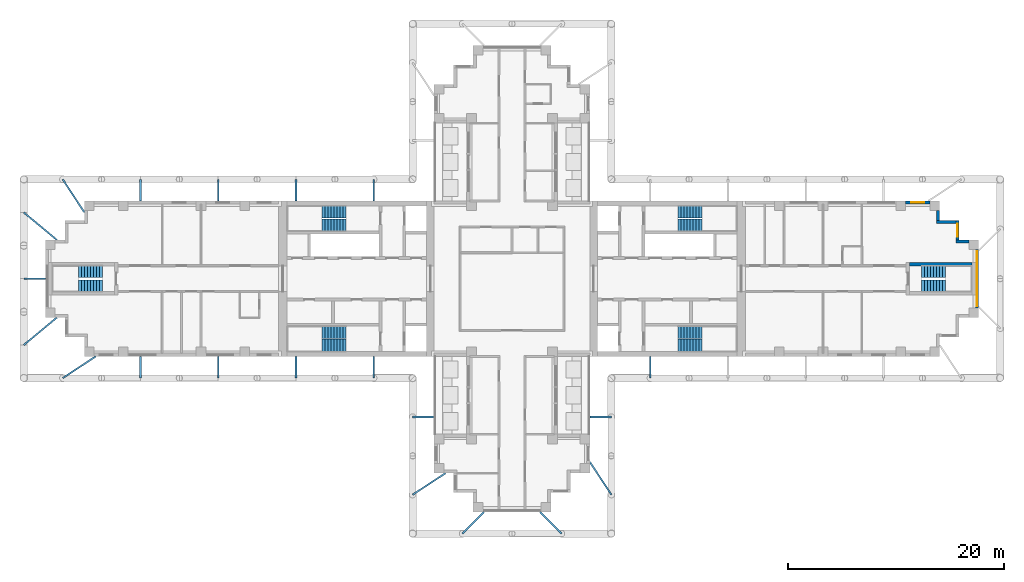
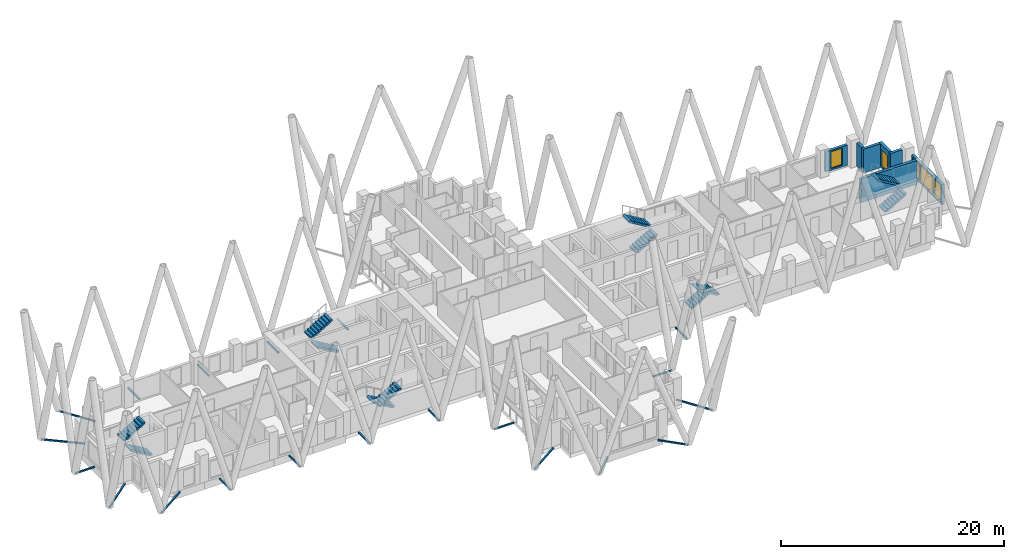
# One storey, part 9 of 12: 20 discrete accessories, 12 stair flights, 7 walls, 5 windows, 5 openings, 6 elements without a shape of their own.
"""IFC4 building model written with IfcOpenShell, lengths in metres."""

from ifc_helpers import new_model, si_unit, direction, frame, frame_2d, origin, origin_2d, place, context, subcontext, project, spatial, polyline, rectangle, hollow_rectangle, outline, extrude, material, layer, layer_set, type_object, element, fill, aggregate, save


model = new_model("IFC4")

# Units and contexts
model_context = context("Model", 3, precision=1e-05, world=origin(), true_north=direction((0.0, 1.0)))
body_context = subcontext(model_context, "Body", "Model", "MODEL_VIEW")
ifc_project = project(units=[si_unit("LENGTHUNIT", "METRE"), si_unit("AREAUNIT", "SQUARE_METRE"), si_unit("VOLUMEUNIT", "CUBIC_METRE"), si_unit("PLANEANGLEUNIT", "RADIAN"), si_unit("MASSUNIT", "GRAM", prefix="KILO")], contexts=[model_context])

# Site, building, storey
site_placement = place(None, origin())
site = spatial("IfcSite", under=ifc_project, at=site_placement, CompositionType="ELEMENT")
building_placement = place(site_placement, origin())
building = spatial("IfcBuilding", under=site, at=building_placement, Name="Fustian Cross Tower", CompositionType="ELEMENT")
storey_placement = place(building_placement, frame((0.0, 0.0, 141.300048828125)))
storey = spatial("IfcBuildingStorey", under=building, at=storey_placement, Name="L44", CompositionType="ELEMENT", Elevation=141.300048828125)

# Wall
ifc_material_1 = material(Name="Concrete C50/60", Category="concrete")
ifc_layer_1 = layer(ifc_material_1, 0.300048828125)
ifc_layer_set_1 = layer_set([ifc_layer_1], Name="Concrete C50/60")
wall_type_1 = type_object("IfcWallType", Name="STAIR ENCLOSURE WALL 300 C50/60", PredefinedType="SHEAR", material=ifc_layer_set_1)
wall_1_placement = place(storey_placement, frame((36.800048828125, 1.35009765625, 0.0), z_axis=(0.0, 0.0, 1.0), x_axis=(1.0, 0.0, 0.0)))
element("IfcWall", 1, at=wall_1_placement, inside=storey, type_object=wall_type_1, Name="Stair enclosure wall", PredefinedType="SHEAR", context=body_context, shape_type="SweptSolid", body=[
    extrude(rectangle(XDim=5.800048828125, YDim=0.300048828125, at=frame_2d((2.89990234375, 0.0))), origin(), (0.0, 0.0, 1.0), 2.599853515625),
])

# Wall, openings, windows
ifc_material_2 = material(Name="Dark aluminium cladding on insulated backing wall", Category="aluminium")
ifc_layer_2 = layer(ifc_material_2, 0.300048828125)
ifc_layer_set_2 = layer_set([ifc_layer_2], Name="Dark aluminium cladding on insulated backing wall")
wall_type_2 = type_object("IfcWallType", Name="XW1 EXTERNAL WALL 300", PredefinedType="SOLIDWALL", material=ifc_layer_set_2)
wall_2_placement = place(storey_placement, frame((43.050048828125, -2.699951171875, 0.0), z_axis=(0.0, 0.0, 1.0), x_axis=(0.0, 1.0, 0.0)))
wall_2 = element("IfcWall", 2, at=wall_2_placement, inside=storey, type_object=wall_type_2, Name="External wall", PredefinedType="SOLIDWALL", context=body_context, shape_type="SweptSolid", body=[
    extrude(rectangle(XDim=5.39990234375, YDim=0.300048828125, at=frame_2d((2.699951171875, 0.0))), origin(), (0.0, 0.0, 1.0), 2.199951171875),
])
opening_1_placement = place(wall_2_placement, frame((1.5, 0.0, 0.199951171875)))
opening_1 = element("IfcOpeningElement", 3, at=opening_1_placement, cuts=wall_2, Name="Opening WN1", PredefinedType="OPENING", context=body_context, shape_type="SweptSolid", body=[
    extrude(rectangle(XDim=2.39990234375, YDim=1.85009765625, at=frame_2d((1.199951171875, 0.925048828125))), frame((0.0, 0.159912109375, 0.0), z_axis=(0.0, -1.0, 0.0), x_axis=(1.0, 0.0, 0.0)), (0.0, 0.0, 1.0), 0.320068359375),
])
opening_2_placement = place(wall_2_placement, frame((0.14990234375, 0.0, 0.199951171875)))
opening_2 = element("IfcOpeningElement", 4, at=opening_2_placement, cuts=wall_2, Name="Opening WN3", PredefinedType="OPENING", context=body_context, shape_type="SweptSolid", body=[
    extrude(rectangle(XDim=1.199951171875, YDim=1.85009765625, at=frame_2d((0.60009765625, 0.925048828125))), frame((0.0, 0.159912109375, 0.0), z_axis=(0.0, -1.0, 0.0), x_axis=(1.0, 0.0, 0.0)), (0.0, 0.0, 1.0), 0.320068359375),
])
opening_3_placement = place(wall_2_placement, frame((4.050048828125, 0.0, 0.199951171875)))
opening_3 = element("IfcOpeningElement", 5, at=opening_3_placement, cuts=wall_2, Name="Opening WN3", PredefinedType="OPENING", context=body_context, shape_type="SweptSolid", body=[
    extrude(rectangle(XDim=1.199951171875, YDim=1.85009765625, at=frame_2d((0.60009765625, 0.925048828125))), frame((0.0, 0.159912109375, 0.0), z_axis=(0.0, -1.0, 0.0), x_axis=(1.0, 0.0, 0.0)), (0.0, 0.0, 1.0), 0.320068359375),
])
ifc_material_3 = material(Name="Dark anodised aluminium and double glazing", Category="aluminium")
window_type_1 = type_object("IfcWindowType", Name="WN1 WINDOW 2400X1850", PartitioningType="SINGLE_PANEL", PredefinedType="WINDOW", material=ifc_material_3)
window_1_placement = place(opening_1_placement, origin())
window_1 = element("IfcWindow", 6, at=window_1_placement, inside=storey, type_object=window_type_1, Name="Window", OverallHeight=1.85009765625, OverallWidth=2.39990234375, PartitioningType="SINGLE_PANEL", PredefinedType="WINDOW", context=body_context, shape_type="SweptSolid", body=[
    extrude(rectangle(XDim=2.39990234375, YDim=1.85009765625, at=frame_2d((1.199951171875, 0.925048828125))), frame((0.0, 0.030029296875, 0.0), z_axis=(0.0, -1.0, 0.0), x_axis=(1.0, 0.0, 0.0)), (0.0, 0.0, 1.0), 0.06005859375),
])
fill(opening_1, window_1)
ifc_material_4 = material(Name="Dark anodised aluminium and double glazing", Category="aluminium")
window_type_2 = type_object("IfcWindowType", Name="WN3 WINDOW 1200X1850", PartitioningType="SINGLE_PANEL", PredefinedType="WINDOW", material=ifc_material_4)
window_2_placement = place(opening_2_placement, origin())
window_2 = element("IfcWindow", 7, at=window_2_placement, inside=storey, type_object=window_type_2, Name="Window", OverallHeight=1.85009765625, OverallWidth=1.199951171875, PartitioningType="SINGLE_PANEL", PredefinedType="WINDOW", context=body_context, shape_type="SweptSolid", body=[
    extrude(rectangle(XDim=1.199951171875, YDim=1.85009765625, at=frame_2d((0.60009765625, 0.925048828125))), frame((0.0, 0.030029296875, 0.0), z_axis=(0.0, -1.0, 0.0), x_axis=(1.0, 0.0, 0.0)), (0.0, 0.0, 1.0), 0.06005859375),
])
fill(opening_2, window_2)
window_3_placement = place(opening_3_placement, origin())
window_3 = element("IfcWindow", 8, at=window_3_placement, inside=storey, type_object=window_type_2, Name="Window", OverallHeight=1.85009765625, OverallWidth=1.199951171875, PartitioningType="SINGLE_PANEL", PredefinedType="WINDOW", context=body_context, shape_type="SweptSolid", body=[
    extrude(rectangle(XDim=1.199951171875, YDim=1.85009765625, at=frame_2d((0.60009765625, 0.925048828125))), frame((0.0, 0.030029296875, 0.0), z_axis=(0.0, -1.0, 0.0), x_axis=(1.0, 0.0, 0.0)), (0.0, 0.0, 1.0), 0.06005859375),
])
fill(opening_3, window_3)

# Wall
wall_3_placement = place(storey_placement, frame((42.300048828125, 3.449951171875, 0.0), z_axis=(0.0, 0.0, 1.0), x_axis=(-1.0, 0.0, 0.0)))
element("IfcWall", 9, at=wall_3_placement, inside=storey, type_object=wall_type_2, Name="External wall", PredefinedType="SOLIDWALL", context=body_context, shape_type="SweptSolid", body=[
    extrude(rectangle(XDim=1.199951171875, YDim=0.300048828125, at=frame_2d((0.60009765625, 0.0))), origin(), (0.0, 0.0, 1.0), 2.599853515625),
])

# Wall, opening, window
wall_4_placement = place(storey_placement, frame((41.25, 3.60009765625, 0.0), z_axis=(0.0, 0.0, 1.0), x_axis=(0.0, 1.0, 0.0)))
wall_4 = element("IfcWall", 10, at=wall_4_placement, inside=storey, type_object=wall_type_2, Name="External wall", PredefinedType="SOLIDWALL", context=body_context, shape_type="SweptSolid", body=[
    extrude(rectangle(XDim=1.7998046875, YDim=0.300048828125, at=frame_2d((0.89990234375, 0.0))), origin(), (0.0, 0.0, 1.0), 2.599853515625),
])
opening_4_placement = place(wall_4_placement, frame((0.300048828125, 0.0, 0.199951171875)))
opening_4 = element("IfcOpeningElement", 11, at=opening_4_placement, cuts=wall_4, Name="Opening WN3", PredefinedType="OPENING", context=body_context, shape_type="SweptSolid", body=[
    extrude(rectangle(XDim=1.199951171875, YDim=1.85009765625, at=frame_2d((0.60009765625, 0.925048828125))), frame((0.0, 0.159912109375, 0.0), z_axis=(0.0, -1.0, 0.0), x_axis=(1.0, 0.0, 0.0)), (0.0, 0.0, 1.0), 0.320068359375),
])
window_4_placement = place(opening_4_placement, origin())
window_4 = element("IfcWindow", 12, at=window_4_placement, inside=storey, type_object=window_type_2, Name="Window", OverallHeight=1.85009765625, OverallWidth=1.199951171875, PartitioningType="SINGLE_PANEL", PredefinedType="WINDOW", context=body_context, shape_type="SweptSolid", body=[
    extrude(rectangle(XDim=1.199951171875, YDim=1.85009765625, at=frame_2d((0.60009765625, 0.925048828125))), frame((0.0, 0.030029296875, 0.0), z_axis=(0.0, -1.0, 0.0), x_axis=(1.0, 0.0, 0.0)), (0.0, 0.0, 1.0), 0.06005859375),
])
fill(opening_4, window_4)

# Walls
wall_5_placement = place(storey_placement, frame((41.10009765625, 5.25, 0.0), z_axis=(0.0, 0.0, 1.0), x_axis=(-1.0, 0.0, 0.0)))
element("IfcWall", 13, at=wall_5_placement, inside=storey, type_object=wall_type_2, Name="External wall", PredefinedType="SOLIDWALL", context=body_context, shape_type="SweptSolid", body=[
    extrude(rectangle(XDim=1.800048828125, YDim=0.300048828125, at=frame_2d((0.89990234375, 0.0))), origin(), (0.0, 0.0, 1.0), 2.599853515625),
])
wall_6_placement = place(storey_placement, frame((39.449951171875, 5.39990234375, 0.0), z_axis=(0.0, 0.0, 1.0), x_axis=(0.0, 1.0, 0.0)))
element("IfcWall", 14, at=wall_6_placement, inside=storey, type_object=wall_type_2, Name="External wall", PredefinedType="SOLIDWALL", context=body_context, shape_type="SweptSolid", body=[
    extrude(rectangle(XDim=0.900146484375, YDim=0.300048828125, at=frame_2d((0.4501953125, 0.0))), origin(), (0.0, 0.0, 1.0), 2.599853515625),
])

# Wall, opening, window
wall_7_placement = place(storey_placement, frame((38.699951171875, 7.050048828125, 0.0), z_axis=(0.0, 0.0, 1.0), x_axis=(-1.0, 0.0, 0.0)))
wall_7 = element("IfcWall", 15, at=wall_7_placement, inside=storey, type_object=wall_type_2, Name="External wall", PredefinedType="SOLIDWALL", context=body_context, shape_type="SweptSolid", body=[
    extrude(rectangle(XDim=2.25, YDim=0.300048828125, at=frame_2d((1.125, 0.0))), origin(), (0.0, 0.0, 1.0), 2.199951171875),
])
opening_5_placement = place(wall_7_placement, frame((0.52490234375, 0.0, 0.199951171875)))
opening_5 = element("IfcOpeningElement", 16, at=opening_5_placement, cuts=wall_7, Name="Opening WN3", PredefinedType="OPENING", context=body_context, shape_type="SweptSolid", body=[
    extrude(rectangle(XDim=1.199951171875, YDim=1.85009765625, at=frame_2d((0.60009765625, 0.925048828125))), frame((0.0, 0.159912109375, 0.0), z_axis=(0.0, -1.0, 0.0), x_axis=(1.0, 0.0, 0.0)), (0.0, 0.0, 1.0), 0.320068359375),
])
window_5_placement = place(opening_5_placement, origin())
window_5 = element("IfcWindow", 17, at=window_5_placement, inside=storey, type_object=window_type_2, Name="Window", OverallHeight=1.85009765625, OverallWidth=1.199951171875, PartitioningType="SINGLE_PANEL", PredefinedType="WINDOW", context=body_context, shape_type="SweptSolid", body=[
    extrude(rectangle(XDim=1.199951171875, YDim=1.85009765625, at=frame_2d((0.60009765625, 0.925048828125))), frame((0.0, 0.030029296875, 0.0), z_axis=(0.0, -1.0, 0.0), x_axis=(1.0, 0.0, 0.0)), (0.0, 0.0, 1.0), 0.06005859375),
])
fill(opening_5, window_5)

# Stair, stair flights
ifc_material_5 = material(Name="Concrete C50/60", Category="concrete")
stair_type_1 = type_object("IfcStairType", Name="STAIR 1100 HALF TURN", PredefinedType="HALF_TURN_STAIR", material=ifc_material_5)
stair_1_placement = place(storey_placement, origin())
stair_1 = element("IfcStair", 18, at=stair_1_placement, inside=storey, type_object=stair_type_1, Name="Stair ST8", PredefinedType="HALF_TURN_STAIR")
ifc_material_6 = material(Name="Concrete C50/60", Category="concrete")
stair_flight_type_1 = type_object("IfcStairFlightType", Name="STAIR FLIGHT 1100", PredefinedType="STRAIGHT", material=ifc_material_6)
stair_flight_1_placement = place(storey_placement, frame((37.89990234375, -0.64990234375, 0.0), z_axis=(0.0, 0.0, 1.0), x_axis=(1.0, 0.0, 0.0)))
stair_flight_1 = element("IfcStairFlight", 19, at=stair_flight_1_placement, type_object=stair_flight_type_1, Name="ST8 flight 1", NumberOfRisers=9, NumberOfTreads=8, PredefinedType="STRAIGHT", RiserHeight=0.166666667, TreadLength=0.28, context=body_context, shape_type="SweptSolid", body=[
    extrude(outline(polyline([(0.0, 0.0), (0.0, 0.166748046875), (0.280029296875, 0.166748046875), (0.280029296875, 0.333251953125), (0.56005859375, 0.333251953125), (0.56005859375, 0.5), (0.840087890625, 0.5), (0.840087890625, 0.666748046875), (1.1201171875, 0.666748046875), (1.1201171875, 0.833251953125), (1.39990234375, 0.833251953125), (1.39990234375, 1.0), (1.679931640625, 1.0), (1.679931640625, 1.166748046875), (1.9599609375, 1.166748046875), (1.9599609375, 1.333251953125), (2.239990234375, 1.333251953125), (2.239990234375, 1.5), (2.239990234375, 1.158935546875), (0.29296875, 0.0), (0.0, 0.0)])), frame((0.0, 0.550048828125, 0.0), z_axis=(0.0, -1.0, 0.0), x_axis=(1.0, 0.0, 0.0)), (0.0, 0.0, 1.0), 1.10009765625),
])
stair_flight_2_placement = place(storey_placement, frame((40.139892578125, 0.64990234375, 1.5), z_axis=(0.0, 0.0, 1.0), x_axis=(-1.0, 0.0, 0.0)))
stair_flight_2 = element("IfcStairFlight", 20, at=stair_flight_2_placement, type_object=stair_flight_type_1, Name="ST8 flight 2", NumberOfRisers=9, NumberOfTreads=8, PredefinedType="STRAIGHT", RiserHeight=0.166666667, TreadLength=0.28, context=body_context, shape_type="SweptSolid", body=[
    extrude(outline(polyline([(0.0, 0.0), (0.0, 0.166748046875), (0.280029296875, 0.166748046875), (0.280029296875, 0.333251953125), (0.56005859375, 0.333251953125), (0.56005859375, 0.5), (0.840087890625, 0.5), (0.840087890625, 0.666748046875), (1.1201171875, 0.666748046875), (1.1201171875, 0.833251953125), (1.39990234375, 0.833251953125), (1.39990234375, 1.0), (1.679931640625, 1.0), (1.679931640625, 1.166748046875), (1.9599609375, 1.166748046875), (1.9599609375, 1.333251953125), (2.239990234375, 1.333251953125), (2.239990234375, 1.5), (2.239990234375, 1.158935546875), (0.29296875, 0.0), (0.0, 0.0)])), frame((0.0, 0.550048828125, 0.0), z_axis=(0.0, -1.0, 0.0), x_axis=(1.0, 0.0, 0.0)), (0.0, 0.0, 1.0), 1.10009765625),
])
aggregate(stair_1, [stair_flight_1, stair_flight_2])

stair_2_placement = place(storey_placement, origin())
stair_2 = element("IfcStair", 21, at=stair_2_placement, inside=storey, type_object=stair_type_1, Name="Stair ST9", PredefinedType="HALF_TURN_STAIR")
stair_flight_3_placement = place(storey_placement, frame((-37.89990234375, -0.64990234375, 0.0), z_axis=(0.0, 0.0, 1.0), x_axis=(-1.0, 0.0, 0.0)))
stair_flight_3 = element("IfcStairFlight", 22, at=stair_flight_3_placement, type_object=stair_flight_type_1, Name="ST9 flight 1", NumberOfRisers=9, NumberOfTreads=8, PredefinedType="STRAIGHT", RiserHeight=0.166666667, TreadLength=0.28, context=body_context, shape_type="SweptSolid", body=[
    extrude(outline(polyline([(0.0, 0.0), (0.0, 0.166748046875), (0.280029296875, 0.166748046875), (0.280029296875, 0.333251953125), (0.56005859375, 0.333251953125), (0.56005859375, 0.5), (0.840087890625, 0.5), (0.840087890625, 0.666748046875), (1.1201171875, 0.666748046875), (1.1201171875, 0.833251953125), (1.39990234375, 0.833251953125), (1.39990234375, 1.0), (1.679931640625, 1.0), (1.679931640625, 1.166748046875), (1.9599609375, 1.166748046875), (1.9599609375, 1.333251953125), (2.239990234375, 1.333251953125), (2.239990234375, 1.5), (2.239990234375, 1.158935546875), (0.29296875, 0.0), (0.0, 0.0)])), frame((0.0, 0.550048828125, 0.0), z_axis=(0.0, -1.0, 0.0), x_axis=(1.0, 0.0, 0.0)), (0.0, 0.0, 1.0), 1.10009765625),
])
stair_flight_4_placement = place(storey_placement, frame((-40.139892578125, 0.64990234375, 1.5), z_axis=(0.0, 0.0, 1.0), x_axis=(1.0, 0.0, 0.0)))
stair_flight_4 = element("IfcStairFlight", 23, at=stair_flight_4_placement, type_object=stair_flight_type_1, Name="ST9 flight 2", NumberOfRisers=9, NumberOfTreads=8, PredefinedType="STRAIGHT", RiserHeight=0.166666667, TreadLength=0.28, context=body_context, shape_type="SweptSolid", body=[
    extrude(outline(polyline([(0.0, 0.0), (0.0, 0.166748046875), (0.280029296875, 0.166748046875), (0.280029296875, 0.333251953125), (0.56005859375, 0.333251953125), (0.56005859375, 0.5), (0.840087890625, 0.5), (0.840087890625, 0.666748046875), (1.1201171875, 0.666748046875), (1.1201171875, 0.833251953125), (1.39990234375, 0.833251953125), (1.39990234375, 1.0), (1.679931640625, 1.0), (1.679931640625, 1.166748046875), (1.9599609375, 1.166748046875), (1.9599609375, 1.333251953125), (2.239990234375, 1.333251953125), (2.239990234375, 1.5), (2.239990234375, 1.158935546875), (0.29296875, 0.0), (0.0, 0.0)])), frame((0.0, 0.550048828125, 0.0), z_axis=(0.0, -1.0, 0.0), x_axis=(1.0, 0.0, 0.0)), (0.0, 0.0, 1.0), 1.10009765625),
])
aggregate(stair_2, [stair_flight_3, stair_flight_4])

ifc_material_7 = material(Name="Concrete C50/60", Category="concrete")
stair_type_2 = type_object("IfcStairType", Name="STAIR 1150 HALF TURN", PredefinedType="HALF_TURN_STAIR", material=ifc_material_7)
stair_3_placement = place(storey_placement, origin())
stair_3 = element("IfcStair", 24, at=stair_3_placement, inside=storey, type_object=stair_type_2, Name="Stair ST1", PredefinedType="HALF_TURN_STAIR")
ifc_material_8 = material(Name="Concrete C50/60", Category="concrete")
stair_flight_type_2 = type_object("IfcStairFlightType", Name="STAIR FLIGHT 1150", PredefinedType="STRAIGHT", material=ifc_material_8)
stair_flight_5_placement = place(storey_placement, frame((15.35009765625, 4.97509765625, 0.0), z_axis=(0.0, 0.0, 1.0), x_axis=(1.0, 0.0, 0.0)))
stair_flight_5 = element("IfcStairFlight", 25, at=stair_flight_5_placement, type_object=stair_flight_type_2, Name="ST1 flight 1", NumberOfRisers=9, NumberOfTreads=8, PredefinedType="STRAIGHT", RiserHeight=0.166666667, TreadLength=0.28, context=body_context, shape_type="SweptSolid", body=[
    extrude(outline(polyline([(0.0, 0.0), (0.0, 0.166748046875), (0.280029296875, 0.166748046875), (0.280029296875, 0.333251953125), (0.56005859375, 0.333251953125), (0.56005859375, 0.5), (0.840087890625, 0.5), (0.840087890625, 0.666748046875), (1.1201171875, 0.666748046875), (1.1201171875, 0.833251953125), (1.39990234375, 0.833251953125), (1.39990234375, 1.0), (1.679931640625, 1.0), (1.679931640625, 1.166748046875), (1.9599609375, 1.166748046875), (1.9599609375, 1.333251953125), (2.239990234375, 1.333251953125), (2.239990234375, 1.5), (2.239990234375, 1.158935546875), (0.29296875, 0.0), (0.0, 0.0)])), frame((0.0, 0.574951171875, 0.0), z_axis=(0.0, -1.0, 0.0), x_axis=(1.0, 0.0, 0.0)), (0.0, 0.0, 1.0), 1.14990234375),
])
stair_flight_6_placement = place(storey_placement, frame((17.590087890625, 6.175048828125, 1.5), z_axis=(0.0, 0.0, 1.0), x_axis=(-1.0, 0.0, 0.0)))
stair_flight_6 = element("IfcStairFlight", 26, at=stair_flight_6_placement, type_object=stair_flight_type_2, Name="ST1 flight 2", NumberOfRisers=9, NumberOfTreads=8, PredefinedType="STRAIGHT", RiserHeight=0.166666667, TreadLength=0.28, context=body_context, shape_type="SweptSolid", body=[
    extrude(outline(polyline([(0.0, 0.0), (0.0, 0.166748046875), (0.280029296875, 0.166748046875), (0.280029296875, 0.333251953125), (0.56005859375, 0.333251953125), (0.56005859375, 0.5), (0.840087890625, 0.5), (0.840087890625, 0.666748046875), (1.1201171875, 0.666748046875), (1.1201171875, 0.833251953125), (1.39990234375, 0.833251953125), (1.39990234375, 1.0), (1.679931640625, 1.0), (1.679931640625, 1.166748046875), (1.9599609375, 1.166748046875), (1.9599609375, 1.333251953125), (2.239990234375, 1.333251953125), (2.239990234375, 1.5), (2.239990234375, 1.158935546875), (0.29296875, 0.0), (0.0, 0.0)])), frame((0.0, 0.574951171875, 0.0), z_axis=(0.0, -1.0, 0.0), x_axis=(1.0, 0.0, 0.0)), (0.0, 0.0, 1.0), 1.14990234375),
])
aggregate(stair_3, [stair_flight_5, stair_flight_6])

stair_4_placement = place(storey_placement, origin())
stair_4 = element("IfcStair", 27, at=stair_4_placement, inside=storey, type_object=stair_type_2, Name="Stair ST2", PredefinedType="HALF_TURN_STAIR")
stair_flight_7_placement = place(storey_placement, frame((15.35009765625, -4.97509765625, 0.0), z_axis=(0.0, 0.0, 1.0), x_axis=(1.0, 0.0, 0.0)))
stair_flight_7 = element("IfcStairFlight", 28, at=stair_flight_7_placement, type_object=stair_flight_type_2, Name="ST2 flight 1", NumberOfRisers=9, NumberOfTreads=8, PredefinedType="STRAIGHT", RiserHeight=0.166666667, TreadLength=0.28, context=body_context, shape_type="SweptSolid", body=[
    extrude(outline(polyline([(0.0, 0.0), (0.0, 0.166748046875), (0.280029296875, 0.166748046875), (0.280029296875, 0.333251953125), (0.56005859375, 0.333251953125), (0.56005859375, 0.5), (0.840087890625, 0.5), (0.840087890625, 0.666748046875), (1.1201171875, 0.666748046875), (1.1201171875, 0.833251953125), (1.39990234375, 0.833251953125), (1.39990234375, 1.0), (1.679931640625, 1.0), (1.679931640625, 1.166748046875), (1.9599609375, 1.166748046875), (1.9599609375, 1.333251953125), (2.239990234375, 1.333251953125), (2.239990234375, 1.5), (2.239990234375, 1.158935546875), (0.29296875, 0.0), (0.0, 0.0)])), frame((0.0, 0.574951171875, 0.0), z_axis=(0.0, -1.0, 0.0), x_axis=(1.0, 0.0, 0.0)), (0.0, 0.0, 1.0), 1.14990234375),
])
stair_flight_8_placement = place(storey_placement, frame((17.590087890625, -6.175048828125, 1.5), z_axis=(0.0, 0.0, 1.0), x_axis=(-1.0, 0.0, 0.0)))
stair_flight_8 = element("IfcStairFlight", 29, at=stair_flight_8_placement, type_object=stair_flight_type_2, Name="ST2 flight 2", NumberOfRisers=9, NumberOfTreads=8, PredefinedType="STRAIGHT", RiserHeight=0.166666667, TreadLength=0.28, context=body_context, shape_type="SweptSolid", body=[
    extrude(outline(polyline([(0.0, 0.0), (0.0, 0.166748046875), (0.280029296875, 0.166748046875), (0.280029296875, 0.333251953125), (0.56005859375, 0.333251953125), (0.56005859375, 0.5), (0.840087890625, 0.5), (0.840087890625, 0.666748046875), (1.1201171875, 0.666748046875), (1.1201171875, 0.833251953125), (1.39990234375, 0.833251953125), (1.39990234375, 1.0), (1.679931640625, 1.0), (1.679931640625, 1.166748046875), (1.9599609375, 1.166748046875), (1.9599609375, 1.333251953125), (2.239990234375, 1.333251953125), (2.239990234375, 1.5), (2.239990234375, 1.158935546875), (0.29296875, 0.0), (0.0, 0.0)])), frame((0.0, 0.574951171875, 0.0), z_axis=(0.0, -1.0, 0.0), x_axis=(1.0, 0.0, 0.0)), (0.0, 0.0, 1.0), 1.14990234375),
])
aggregate(stair_4, [stair_flight_7, stair_flight_8])

stair_5_placement = place(storey_placement, origin())
stair_5 = element("IfcStair", 30, at=stair_5_placement, inside=storey, type_object=stair_type_2, Name="Stair ST3", PredefinedType="HALF_TURN_STAIR")
stair_flight_9_placement = place(storey_placement, frame((-15.35009765625, 4.97509765625, 0.0), z_axis=(0.0, 0.0, 1.0), x_axis=(-1.0, 0.0, 0.0)))
stair_flight_9 = element("IfcStairFlight", 31, at=stair_flight_9_placement, type_object=stair_flight_type_2, Name="ST3 flight 1", NumberOfRisers=9, NumberOfTreads=8, PredefinedType="STRAIGHT", RiserHeight=0.166666667, TreadLength=0.28, context=body_context, shape_type="SweptSolid", body=[
    extrude(outline(polyline([(0.0, 0.0), (0.0, 0.166748046875), (0.280029296875, 0.166748046875), (0.280029296875, 0.333251953125), (0.56005859375, 0.333251953125), (0.56005859375, 0.5), (0.840087890625, 0.5), (0.840087890625, 0.666748046875), (1.1201171875, 0.666748046875), (1.1201171875, 0.833251953125), (1.39990234375, 0.833251953125), (1.39990234375, 1.0), (1.679931640625, 1.0), (1.679931640625, 1.166748046875), (1.9599609375, 1.166748046875), (1.9599609375, 1.333251953125), (2.239990234375, 1.333251953125), (2.239990234375, 1.5), (2.239990234375, 1.158935546875), (0.29296875, 0.0), (0.0, 0.0)])), frame((0.0, 0.574951171875, 0.0), z_axis=(0.0, -1.0, 0.0), x_axis=(1.0, 0.0, 0.0)), (0.0, 0.0, 1.0), 1.14990234375),
])
stair_flight_10_placement = place(storey_placement, frame((-17.590087890625, 6.175048828125, 1.5), z_axis=(0.0, 0.0, 1.0), x_axis=(1.0, 0.0, 0.0)))
stair_flight_10 = element("IfcStairFlight", 32, at=stair_flight_10_placement, type_object=stair_flight_type_2, Name="ST3 flight 2", NumberOfRisers=9, NumberOfTreads=8, PredefinedType="STRAIGHT", RiserHeight=0.166666667, TreadLength=0.28, context=body_context, shape_type="SweptSolid", body=[
    extrude(outline(polyline([(0.0, 0.0), (0.0, 0.166748046875), (0.280029296875, 0.166748046875), (0.280029296875, 0.333251953125), (0.56005859375, 0.333251953125), (0.56005859375, 0.5), (0.840087890625, 0.5), (0.840087890625, 0.666748046875), (1.1201171875, 0.666748046875), (1.1201171875, 0.833251953125), (1.39990234375, 0.833251953125), (1.39990234375, 1.0), (1.679931640625, 1.0), (1.679931640625, 1.166748046875), (1.9599609375, 1.166748046875), (1.9599609375, 1.333251953125), (2.239990234375, 1.333251953125), (2.239990234375, 1.5), (2.239990234375, 1.158935546875), (0.29296875, 0.0), (0.0, 0.0)])), frame((0.0, 0.574951171875, 0.0), z_axis=(0.0, -1.0, 0.0), x_axis=(1.0, 0.0, 0.0)), (0.0, 0.0, 1.0), 1.14990234375),
])
aggregate(stair_5, [stair_flight_9, stair_flight_10])

stair_6_placement = place(storey_placement, origin())
stair_6 = element("IfcStair", 33, at=stair_6_placement, inside=storey, type_object=stair_type_2, Name="Stair ST4", PredefinedType="HALF_TURN_STAIR")
stair_flight_11_placement = place(storey_placement, frame((-15.35009765625, -4.97509765625, 0.0), z_axis=(0.0, 0.0, 1.0), x_axis=(-1.0, 0.0, 0.0)))
stair_flight_11 = element("IfcStairFlight", 34, at=stair_flight_11_placement, type_object=stair_flight_type_2, Name="ST4 flight 1", NumberOfRisers=9, NumberOfTreads=8, PredefinedType="STRAIGHT", RiserHeight=0.166666667, TreadLength=0.28, context=body_context, shape_type="SweptSolid", body=[
    extrude(outline(polyline([(0.0, 0.0), (0.0, 0.166748046875), (0.280029296875, 0.166748046875), (0.280029296875, 0.333251953125), (0.56005859375, 0.333251953125), (0.56005859375, 0.5), (0.840087890625, 0.5), (0.840087890625, 0.666748046875), (1.1201171875, 0.666748046875), (1.1201171875, 0.833251953125), (1.39990234375, 0.833251953125), (1.39990234375, 1.0), (1.679931640625, 1.0), (1.679931640625, 1.166748046875), (1.9599609375, 1.166748046875), (1.9599609375, 1.333251953125), (2.239990234375, 1.333251953125), (2.239990234375, 1.5), (2.239990234375, 1.158935546875), (0.29296875, 0.0), (0.0, 0.0)])), frame((0.0, 0.574951171875, 0.0), z_axis=(0.0, -1.0, 0.0), x_axis=(1.0, 0.0, 0.0)), (0.0, 0.0, 1.0), 1.14990234375),
])
stair_flight_12_placement = place(storey_placement, frame((-17.590087890625, -6.175048828125, 1.5), z_axis=(0.0, 0.0, 1.0), x_axis=(1.0, 0.0, 0.0)))
stair_flight_12 = element("IfcStairFlight", 35, at=stair_flight_12_placement, type_object=stair_flight_type_2, Name="ST4 flight 2", NumberOfRisers=9, NumberOfTreads=8, PredefinedType="STRAIGHT", RiserHeight=0.166666667, TreadLength=0.28, context=body_context, shape_type="SweptSolid", body=[
    extrude(outline(polyline([(0.0, 0.0), (0.0, 0.166748046875), (0.280029296875, 0.166748046875), (0.280029296875, 0.333251953125), (0.56005859375, 0.333251953125), (0.56005859375, 0.5), (0.840087890625, 0.5), (0.840087890625, 0.666748046875), (1.1201171875, 0.666748046875), (1.1201171875, 0.833251953125), (1.39990234375, 0.833251953125), (1.39990234375, 1.0), (1.679931640625, 1.0), (1.679931640625, 1.166748046875), (1.9599609375, 1.166748046875), (1.9599609375, 1.333251953125), (2.239990234375, 1.333251953125), (2.239990234375, 1.5), (2.239990234375, 1.158935546875), (0.29296875, 0.0), (0.0, 0.0)])), frame((0.0, 0.574951171875, 0.0), z_axis=(0.0, -1.0, 0.0), x_axis=(1.0, 0.0, 0.0)), (0.0, 0.0, 1.0), 1.14990234375),
])
aggregate(stair_6, [stair_flight_11, stair_flight_12])

# Discrete accessories
ifc_material_9 = material(Name="Steel S355", Category="steel")
for number, where, z_axis, x_axis, name in (
    (36, (-12.800048828125, 9.199951171875, -0.150146484375), (0.0, -1.0, 0.0), (1.0, 0.0, 0.0), "Diagrid node bracket L44-13"),
    (37, (-20.0, 9.199951171875, -0.150146484375), (0.0, -1.0, 0.0), (1.0, 0.0, 0.0), "Diagrid node bracket L44-14"),
    (38, (-27.199951171875, 9.199951171875, -0.150146484375), (0.0, -1.0, 0.0), (1.0, 0.0, 0.0), "Diagrid node bracket L44-15"),
    (39, (-34.39990234375, 9.199951171875, -0.150146484375), (0.0, -1.0, 0.0), (1.0, 0.0, 0.0), "Diagrid node bracket L44-16"),
):
    element("IfcDiscreteAccessory", number, at=place(storey_placement, frame(where, z_axis=z_axis, x_axis=x_axis)), inside=storey, material=ifc_material_9, Name=name, PredefinedType="BRACKET", context=body_context, shape_type="SweptSolid", body=[
        extrude(hollow_rectangle(XDim=0.14990234375, YDim=0.14990234375, WallThickness=0.010009765625, at=origin_2d()), origin(), (0.0, 0.0, 1.0), 2.0),
    ])
discrete_accessory_1_placement = place(storey_placement, frame((-41.60009765625, 9.199951171875, -0.150146484375), z_axis=(0.548350823241, -0.836248392914, 0.0), x_axis=(0.836248392914, 0.548350823241, 0.0)))
element("IfcDiscreteAccessory", 40, at=discrete_accessory_1_placement, inside=storey, material=ifc_material_9, Name="Diagrid node bracket L44-17", PredefinedType="BRACKET", context=body_context, shape_type="SweptSolid", body=[
    extrude(hollow_rectangle(XDim=0.14990234375, YDim=0.14990234375, WallThickness=0.010009765625, at=origin_2d()), origin(), (0.0, 0.0, 1.0), 3.647216796875),
])
discrete_accessory_2_placement = place(storey_placement, frame((-45.199951171875, 6.13330078125, -0.150146484375), z_axis=(0.769275112648, -0.638917679408, 0.0), x_axis=(0.638917679408, 0.769275112648, 0.0)))
element("IfcDiscreteAccessory", 41, at=discrete_accessory_2_placement, inside=storey, material=ifc_material_9, Name="Diagrid node bracket L44-18", PredefinedType="BRACKET", context=body_context, shape_type="SweptSolid", body=[
    extrude(hollow_rectangle(XDim=0.14990234375, YDim=0.14990234375, WallThickness=0.010009765625, at=origin_2d()), origin(), (0.0, 0.0, 1.0), 3.96484375),
])
discrete_accessory_3_placement = place(storey_placement, frame((-45.199951171875, 0.0, -0.150146484375), z_axis=(1.0, 0.0, 0.0), x_axis=(0.0, 1.0, 0.0)))
element("IfcDiscreteAccessory", 42, at=discrete_accessory_3_placement, inside=storey, material=ifc_material_9, Name="Diagrid node bracket L44-19", PredefinedType="BRACKET", context=body_context, shape_type="SweptSolid", body=[
    extrude(hollow_rectangle(XDim=0.14990234375, YDim=0.14990234375, WallThickness=0.010009765625, at=origin_2d()), origin(), (0.0, 0.0, 1.0), 2.0),
])
discrete_accessory_4_placement = place(storey_placement, frame((-45.199951171875, -6.13330078125, -0.150146484375), z_axis=(0.769275112648, 0.638917679408, 0.0), x_axis=(-0.638917679408, 0.769275112648, 0.0)))
element("IfcDiscreteAccessory", 43, at=discrete_accessory_4_placement, inside=storey, material=ifc_material_9, Name="Diagrid node bracket L44-20", PredefinedType="BRACKET", context=body_context, shape_type="SweptSolid", body=[
    extrude(hollow_rectangle(XDim=0.14990234375, YDim=0.14990234375, WallThickness=0.010009765625, at=origin_2d()), origin(), (0.0, 0.0, 1.0), 3.96484375),
])
discrete_accessory_5_placement = place(storey_placement, frame((-41.60009765625, -9.199951171875, -0.150146484375), z_axis=(0.836248392914, 0.548350823241, 0.0), x_axis=(-0.548350823241, 0.836248392914, 0.0)))
element("IfcDiscreteAccessory", 44, at=discrete_accessory_5_placement, inside=storey, material=ifc_material_9, Name="Diagrid node bracket L44-21", PredefinedType="BRACKET", context=body_context, shape_type="SweptSolid", body=[
    extrude(hollow_rectangle(XDim=0.14990234375, YDim=0.14990234375, WallThickness=0.010009765625, at=origin_2d()), origin(), (0.0, 0.0, 1.0), 3.647216796875),
])
for number, where, z_axis, x_axis, name in (
    (45, (-34.39990234375, -9.199951171875, -0.150146484375), (0.0, 1.0, 0.0), (-1.0, 0.0, 0.0), "Diagrid node bracket L44-22"),
    (46, (-27.199951171875, -9.199951171875, -0.150146484375), (0.0, 1.0, 0.0), (-1.0, 0.0, 0.0), "Diagrid node bracket L44-23"),
    (47, (-20.0, -9.199951171875, -0.150146484375), (0.0, 1.0, 0.0), (-1.0, 0.0, 0.0), "Diagrid node bracket L44-24"),
    (48, (-12.800048828125, -9.199951171875, -0.150146484375), (0.0, 1.0, 0.0), (-1.0, 0.0, 0.0), "Diagrid node bracket L44-25"),
    (49, (-9.199951171875, -12.800048828125, -0.150146484375), (1.0, 0.0, 0.0), (0.0, 1.0, 0.0), "Diagrid node bracket L44-26"),
):
    element("IfcDiscreteAccessory", number, at=place(storey_placement, frame(where, z_axis=z_axis, x_axis=x_axis)), inside=storey, material=ifc_material_9, Name=name, PredefinedType="BRACKET", context=body_context, shape_type="SweptSolid", body=[
        extrude(hollow_rectangle(XDim=0.14990234375, YDim=0.14990234375, WallThickness=0.010009765625, at=origin_2d()), origin(), (0.0, 0.0, 1.0), 2.0),
    ])
discrete_accessory_6_placement = place(storey_placement, frame((-9.199951171875, -20.0, -0.150146484375), z_axis=(0.836248392914, 0.548350823241, 0.0), x_axis=(-0.548350823241, 0.836248392914, 0.0)))
element("IfcDiscreteAccessory", 50, at=discrete_accessory_6_placement, inside=storey, material=ifc_material_9, Name="Diagrid node bracket L44-27", PredefinedType="BRACKET", context=body_context, shape_type="SweptSolid", body=[
    extrude(hollow_rectangle(XDim=0.14990234375, YDim=0.14990234375, WallThickness=0.010009765625, at=origin_2d()), origin(), (0.0, 0.0, 1.0), 3.647216796875),
])
for number, where, z_axis, x_axis, name in (
    (51, (-4.60009765625, -23.60009765625, -0.150146484375), (0.707106781187, 0.707106781187, 0.0), (-0.707106781187, 0.707106781187, 0.0), "Diagrid node bracket L44-28"),
    (52, (4.60009765625, -23.60009765625, -0.150146484375), (-0.707106781187, 0.707106781187, 0.0), (-0.707106781187, -0.707106781187, 0.0), "Diagrid node bracket L44-29"),
):
    element("IfcDiscreteAccessory", number, at=place(storey_placement, frame(where, z_axis=z_axis, x_axis=x_axis)), inside=storey, material=ifc_material_9, Name=name, PredefinedType="BRACKET", context=body_context, shape_type="SweptSolid", body=[
        extrude(hollow_rectangle(XDim=0.14990234375, YDim=0.14990234375, WallThickness=0.010009765625, at=origin_2d()), origin(), (0.0, 0.0, 1.0), 2.828369140625),
    ])
discrete_accessory_7_placement = place(storey_placement, frame((9.199951171875, -20.0, -0.150146484375), z_axis=(-0.548350823241, 0.836248392914, 0.0), x_axis=(-0.836248392914, -0.548350823241, 0.0)))
element("IfcDiscreteAccessory", 53, at=discrete_accessory_7_placement, inside=storey, material=ifc_material_9, Name="Diagrid node bracket L44-30", PredefinedType="BRACKET", context=body_context, shape_type="SweptSolid", body=[
    extrude(hollow_rectangle(XDim=0.14990234375, YDim=0.14990234375, WallThickness=0.010009765625, at=origin_2d()), origin(), (0.0, 0.0, 1.0), 3.647216796875),
])
for number, where, z_axis, x_axis, name in (
    (54, (9.199951171875, -12.800048828125, -0.150146484375), (-1.0, 0.0, 0.0), (0.0, -1.0, 0.0), "Diagrid node bracket L44-31"),
    (55, (12.800048828125, -9.199951171875, -0.150146484375), (0.0, 1.0, 0.0), (-1.0, 0.0, 0.0), "Diagrid node bracket L44-32"),
):
    element("IfcDiscreteAccessory", number, at=place(storey_placement, frame(where, z_axis=z_axis, x_axis=x_axis)), inside=storey, material=ifc_material_9, Name=name, PredefinedType="BRACKET", context=body_context, shape_type="SweptSolid", body=[
        extrude(hollow_rectangle(XDim=0.14990234375, YDim=0.14990234375, WallThickness=0.010009765625, at=origin_2d()), origin(), (0.0, 0.0, 1.0), 2.0),
    ])

save(model, "model.ifc")
